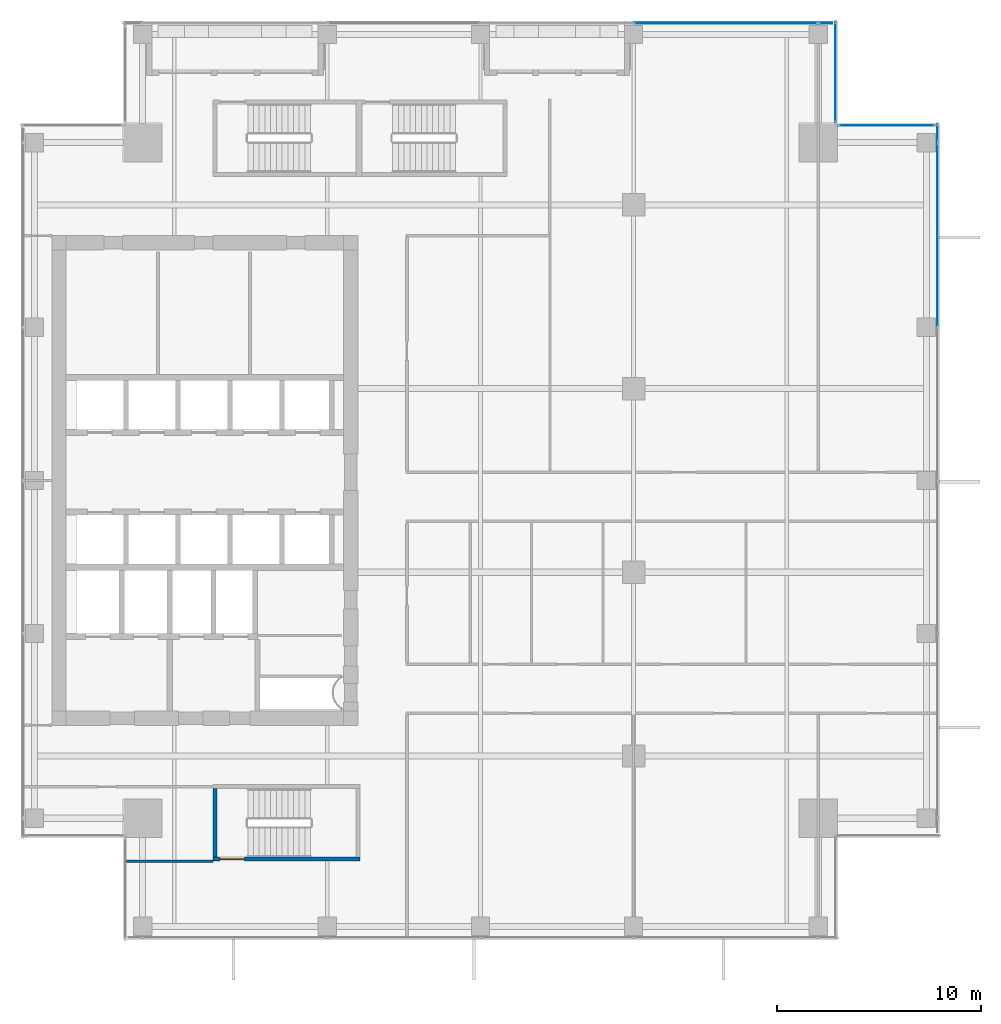
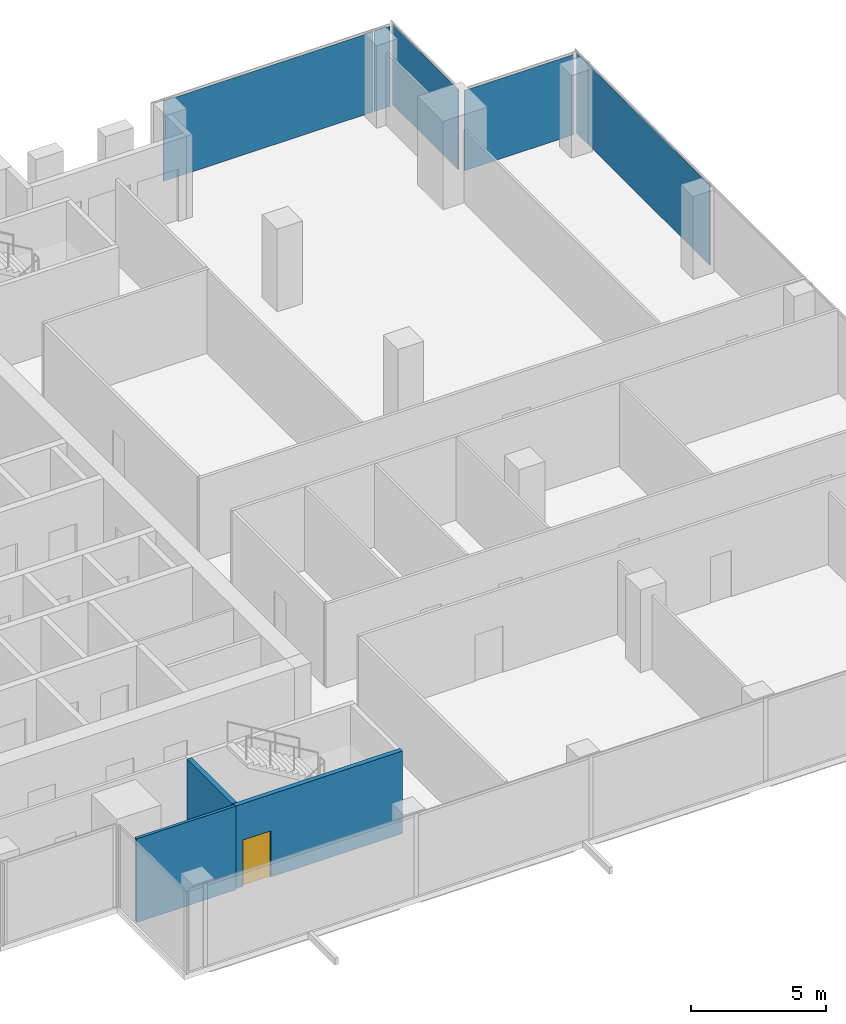
# One storey, part 29 of 34: 6 plates, 3 walls, 1 door, 1 opening, 4 elements without a shape of their own.
"""IFC4 building model written with IfcOpenShell, lengths in metres."""

from ifc_helpers import new_model, si_unit, direction, frame, frame_2d, origin, origin_2d, place, context, subcontext, project, spatial, rectangle, extrude, source, transform, mapped, material, layer, layer_set, type_object, element, fill, aggregate, save


model = new_model("IFC4")

# Units and contexts
model_context = context("Model", 3, precision=1e-05, world=origin(), true_north=direction((0.0, 1.0)))
body_context = subcontext(model_context, "Body", "Model", "MODEL_VIEW")
ifc_project = project(units=[si_unit("LENGTHUNIT", "METRE"), si_unit("AREAUNIT", "SQUARE_METRE"), si_unit("VOLUMEUNIT", "CUBIC_METRE"), si_unit("PLANEANGLEUNIT", "RADIAN"), si_unit("MASSUNIT", "GRAM", prefix="KILO")], contexts=[model_context])

# Site, building, storey
site_placement = place(None, origin())
site = spatial("IfcSite", under=ifc_project, at=site_placement, CompositionType="ELEMENT")
building_placement = place(site_placement, origin())
building = spatial("IfcBuilding", under=site, at=building_placement, Name="Khomas Fold Tower", CompositionType="ELEMENT")
storey_placement = place(building_placement, frame((0.0, 0.0, 242.199951171875)))
storey = spatial("IfcBuildingStorey", under=building, at=storey_placement, Name="L54", CompositionType="ELEMENT", Elevation=242.199951171875)

# Curtain wall, plate
ifc_material_1 = material(Name="Aluminium framed double glazing", Category="aluminium")
curtain_wall_type = type_object("IfcCurtainWallType", Name="SK-Unitised clear-glass wall, office floors CW2", PredefinedType="NOTDEFINED", material=ifc_material_1)
curtain_wall_1_placement = place(storey_placement, origin())
curtain_wall_1 = element("IfcCurtainWall", 1, at=curtain_wall_1_placement, inside=storey, type_object=curtain_wall_type, Name="CW2 run L54 06-0", PredefinedType="NOTDEFINED")
ifc_material_2 = material(Name="Clear double glazed unit")
ifc_layer_1 = layer(ifc_material_2, 0.030029296875)
ifc_layer_set_1 = layer_set([ifc_layer_1], Name="Clear double glazed unit")
plate_type = type_object("IfcPlateType", Name="SK-Unitised clear-glass wall, office floors glass panel CW2-P", PredefinedType="CURTAIN_PANEL", material=ifc_layer_set_1)
shared_shape_1 = source(origin(), body_context, "Body", "SweptSolid", [
    extrude(rectangle(XDim=0.659912109375, YDim=0.030029296875, at=origin_2d()), origin(), (0.0, 0.0, 1.0), 3.639892578125),
])
plate_1_placement = place(storey_placement, frame((43.909912109375, 49.39990234375, 0.0), z_axis=(0.0, 0.0, 1.0), x_axis=(-1.0, 0.0, 0.0)))
plate_1 = element("IfcPlate", 2, at=plate_1_placement, type_object=plate_type, Name="CW2 glass panel 1", PredefinedType="CURTAIN_PANEL", context=body_context, shape_type="MappedRepresentation", body=[
    mapped(shared_shape_1, transform((0.0, 0.0, 0.0))),
])

# Curtain wall, plates
curtain_wall_2_placement = place(storey_placement, origin())
curtain_wall_2 = element("IfcCurtainWall", 3, at=curtain_wall_2_placement, inside=storey, type_object=curtain_wall_type, Name="CW2 run L54 03-0", PredefinedType="NOTDEFINED")
shared_shape_2 = source(origin(), body_context, "Body", "SweptSolid", [
    extrude(rectangle(XDim=0.860107421875, YDim=0.030029296875, at=origin_2d()), origin(), (0.0, 0.0, 1.0), 3.639892578125),
])
plate_2_placement = place(storey_placement, frame((49.39990234375, 44.010009765625, 0.0), z_axis=(0.0, 0.0, 1.0), x_axis=(0.0, 1.0, 0.0)))
plate_2 = element("IfcPlate", 4, at=plate_2_placement, type_object=plate_type, Name="CW2 glass panel 6", PredefinedType="CURTAIN_PANEL", context=body_context, shape_type="MappedRepresentation", body=[
    mapped(shared_shape_2, transform((0.0, 0.0, 0.0))),
])
shared_shape_3 = source(origin(), body_context, "Body", "SweptSolid", [
    extrude(rectangle(XDim=8.989990234375, YDim=0.030029296875, at=origin_2d()), origin(), (0.0, 0.0, 1.0), 3.639892578125),
])
plate_3_placement = place(storey_placement, frame((49.39990234375, 39.02490234375, 0.0), z_axis=(0.0, 0.0, 1.0), x_axis=(0.0, 1.0, 0.0)))
plate_3 = element("IfcPlate", 5, at=plate_3_placement, type_object=plate_type, Name="CW2 glass panel 5", PredefinedType="CURTAIN_PANEL", context=body_context, shape_type="MappedRepresentation", body=[
    mapped(shared_shape_3, transform((0.0, 0.0, 0.0))),
])
aggregate(curtain_wall_2, [plate_3, plate_2])

# Plate
plate_4_placement = place(storey_placement, frame((39.02490234375, 49.39990234375, 0.0), z_axis=(0.0, 0.0, 1.0), x_axis=(-1.0, 0.0, 0.0)))
plate_4 = element("IfcPlate", 6, at=plate_4_placement, type_object=plate_type, Name="CW2 glass panel 2", PredefinedType="CURTAIN_PANEL", context=body_context, shape_type="MappedRepresentation", body=[
    mapped(shared_shape_3, transform((0.0, 0.0, 0.0))),
])

aggregate(curtain_wall_1, [plate_1, plate_4])

# Curtain wall, plate
curtain_wall_3_placement = place(storey_placement, origin())
curtain_wall_3 = element("IfcCurtainWall", 7, at=curtain_wall_3_placement, inside=storey, type_object=curtain_wall_type, Name="CW2 corner return L54 04", PredefinedType="NOTDEFINED")
shared_shape_4 = source(origin(), body_context, "Body", "SweptSolid", [
    extrude(rectangle(XDim=4.679931640625, YDim=0.030029296875, at=origin_2d()), origin(), (0.0, 0.0, 1.0), 3.639892578125),
])
plate_5_placement = place(storey_placement, frame((46.89990234375, 44.39990234375, 0.0), z_axis=(0.0, 0.0, 1.0), x_axis=(-1.0, 0.0, 0.0)))
plate_5 = element("IfcPlate", 8, at=plate_5_placement, type_object=plate_type, Name="CW2 glass panel 1", PredefinedType="CURTAIN_PANEL", context=body_context, shape_type="MappedRepresentation", body=[
    mapped(shared_shape_4, transform((0.0, 0.0, 0.0))),
])
aggregate(curtain_wall_3, [plate_5])

curtain_wall_4_placement = place(storey_placement, origin())
curtain_wall_4 = element("IfcCurtainWall", 9, at=curtain_wall_4_placement, inside=storey, type_object=curtain_wall_type, Name="CW2 corner return L54 05", PredefinedType="NOTDEFINED")
shared_shape_5 = source(origin(), body_context, "Body", "SweptSolid", [
    extrude(rectangle(XDim=4.8798828125, YDim=0.030029296875, at=origin_2d()), origin(), (0.0, 0.0, 1.0), 3.639892578125),
])
plate_6_placement = place(storey_placement, frame((44.39990234375, 47.0, 0.0), z_axis=(0.0, 0.0, 1.0), x_axis=(0.0, 1.0, 0.0)))
plate_6 = element("IfcPlate", 10, at=plate_6_placement, type_object=plate_type, Name="CW2 glass panel 1", PredefinedType="CURTAIN_PANEL", context=body_context, shape_type="MappedRepresentation", body=[
    mapped(shared_shape_5, transform((0.0, 0.0, 0.0))),
])
aggregate(curtain_wall_4, [plate_6])

# Wall, opening, door
ifc_material_3 = material(Name="Concrete C50/60", Category="concrete")
ifc_layer_2 = layer(ifc_material_3, 0.199951171875)
ifc_layer_set_2 = layer_set([ifc_layer_2], Name="Concrete C50/60")
wall_type_1 = type_object("IfcWallType", Name="Stair wall 200", PredefinedType="SHEAR", material=ifc_layer_set_2)
shared_shape_6 = source(origin(), body_context, "Body", "SweptSolid", [
    extrude(rectangle(XDim=7.2001953125, YDim=0.199951171875, at=frame_2d((3.60009765625, 0.0))), origin(), (0.0, 0.0, 1.0), 3.75),
])
wall_1_placement = place(storey_placement, frame((13.89990234375, 8.449951171875, 0.0), z_axis=(0.0, 0.0, 1.0), x_axis=(1.0, 0.0, 0.0)))
wall_1 = element("IfcWall", 11, at=wall_1_placement, inside=storey, type_object=wall_type_1, Name="Stair wall SW-ST2-S", PredefinedType="SHEAR", context=body_context, shape_type="MappedRepresentation", body=[
    mapped(shared_shape_6, transform((0.0, 0.0, 0.0))),
])
shared_shape_7 = source(origin(), body_context, "Body", "SweptSolid", [
    extrude(rectangle(XDim=1.199951171875, YDim=2.10009765625, at=frame_2d((0.60009765625, 1.050048828125))), frame((0.0, 0.10986328125, 0.0), z_axis=(0.0, -1.0, 0.0), x_axis=(1.0, 0.0, 0.0)), (0.0, 0.0, 1.0), 0.219970703125),
])
opening_placement = place(wall_1_placement, frame((0.35009765625, 0.0, 0.0)))
opening = element("IfcOpeningElement", 12, at=opening_placement, cuts=wall_1, Name="Opening SD-ST2", PredefinedType="OPENING", context=body_context, shape_type="MappedRepresentation", body=[
    mapped(shared_shape_7, transform((0.0, 0.0, 0.0))),
])
ifc_material_4 = material(Name="Steel door leaf", Category="steel")
door_type = type_object("IfcDoorType", Name="Stair door 1200x2100 right-hand", OperationType="SINGLE_SWING_RIGHT", PredefinedType="DOOR", material=ifc_material_4)
shared_shape_8 = source(origin(), body_context, "Body", "SweptSolid", [
    extrude(rectangle(XDim=1.199951171875, YDim=2.10009765625, at=frame_2d((0.60009765625, 1.050048828125))), frame((0.0, 0.02490234375, 0.0), z_axis=(0.0, -1.0, 0.0), x_axis=(1.0, 0.0, 0.0)), (0.0, 0.0, 1.0), 0.050048828125),
])
door_placement = place(opening_placement, origin())
door = element("IfcDoor", 13, at=door_placement, inside=storey, type_object=door_type, Name="Stair door", OperationType="SINGLE_SWING_RIGHT", OverallHeight=2.10009765625, OverallWidth=1.199951171875, PredefinedType="DOOR", context=body_context, shape_type="MappedRepresentation", body=[
    mapped(shared_shape_8, transform((0.0, 0.0, 0.0))),
])
fill(opening, door)

# Walls
shared_shape_9 = source(origin(), body_context, "Body", "SweptSolid", [
    extrude(rectangle(XDim=3.349853515625, YDim=0.199951171875, at=frame_2d((1.6748046875, 0.0))), origin(), (0.0, 0.0, 1.0), 3.75),
])
wall_2_placement = place(storey_placement, frame((14.0, 8.550048828125, 0.0), z_axis=(0.0, 0.0, 1.0), x_axis=(0.0, 1.0, 0.0)))
element("IfcWall", 14, at=wall_2_placement, inside=storey, type_object=wall_type_1, Name="Stair wall SW-ST2-W", PredefinedType="SHEAR", context=body_context, shape_type="MappedRepresentation", body=[
    mapped(shared_shape_9, transform((0.0, 0.0, 0.0))),
])
ifc_material_5 = material(Name="Plasterboard partition")
ifc_layer_3 = layer(ifc_material_5, 0.125)
ifc_layer_set_3 = layer_set([ifc_layer_3], Name="Plasterboard partition")
wall_type_2 = type_object("IfcWallType", Name="Partition PW2 125", PredefinedType="PARTITIONING", material=ifc_layer_set_3)
shared_shape_10 = source(origin(), body_context, "Body", "SweptSolid", [
    extrude(rectangle(XDim=4.25, YDim=0.125, at=frame_2d((2.125, 0.0))), origin(), (0.0, 0.0, 1.0), 3.800048828125),
])
wall_3_placement = place(storey_placement, frame((9.64990234375, 8.35009765625, 0.0), z_axis=(0.0, 0.0, 1.0), x_axis=(1.0, 0.0, 0.0)))
element("IfcWall", 15, at=wall_3_placement, inside=storey, type_object=wall_type_2, Name="Partition", PredefinedType="PARTITIONING", context=body_context, shape_type="MappedRepresentation", body=[
    mapped(shared_shape_10, transform((0.0, 0.0, 0.0))),
])

save(model, "model.ifc")
